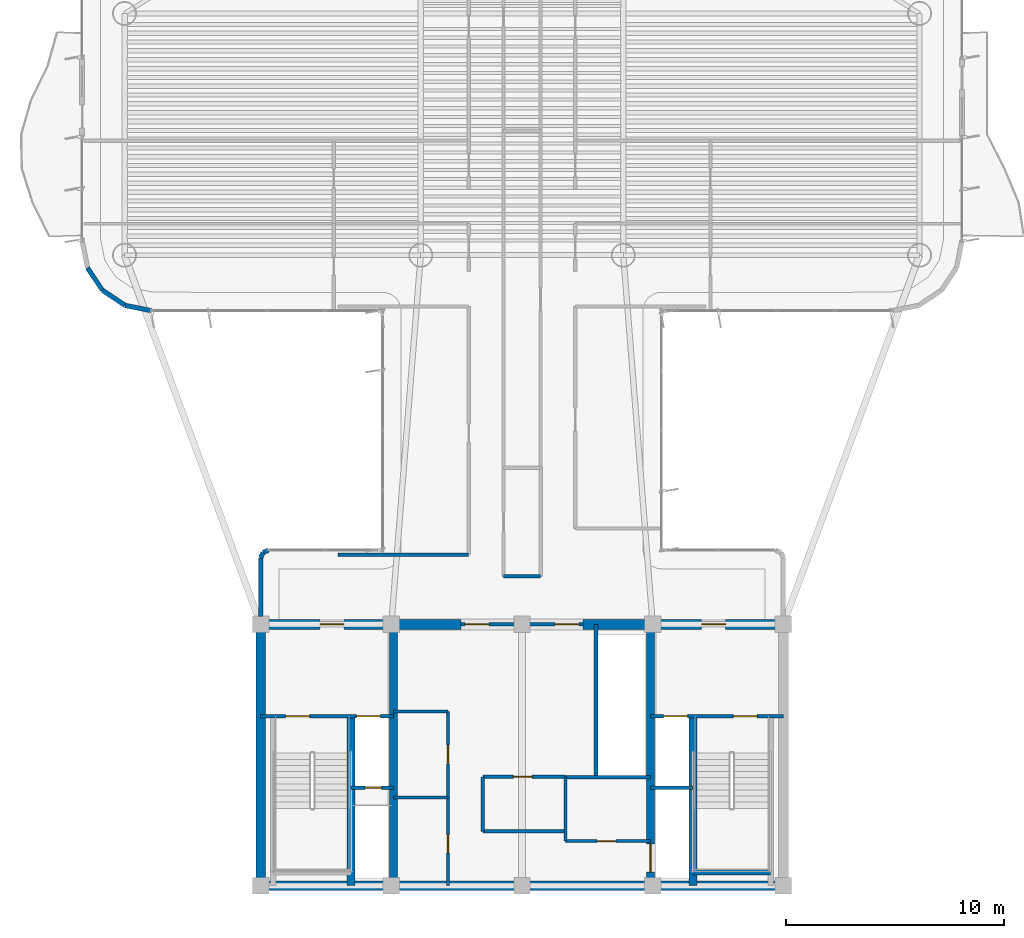
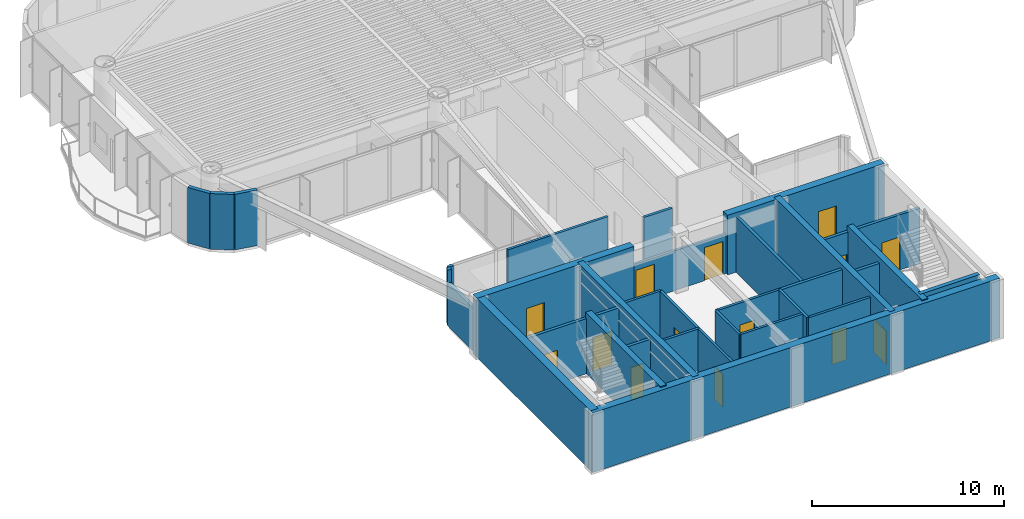
# One storey, part 9 of 14: 32 walls, 14 doors, 14 openings.
"""IFC4 building model written with IfcOpenShell, lengths in metres."""

import ifcopenshell
import ifcopenshell.guid

model = None  # the IFC model being written
_history = None  # IfcOwnerHistory: only IFC2X3 demands one
_inside = {}  # id of a spatial element -> (the spatial element, [elements in it])
_under = {}  # id of a project, library or spatial element -> (it, [spatial elements below it])
_declared = {}  # id of a project -> (the project, [libraries it declares])
_typed = {}  # id of a type object -> (the type object, [elements of that type])
_made_of = {}  # id of a material, layer set ... -> (it, [elements and type objects made of it])


def new_model(schema):
    """Start an empty IFC model of exactly this schema.

    Asked for "IFC4X3", IfcOpenShell would pick the latest addendum, in which some entities
    have other attributes; the version numbers below select the first issue.
    IFC2X3 requires an IfcOwnerHistory on every rooted entity: one is made here for all.
    """
    global model, _history
    if schema == "IFC4X3":
        model = ifcopenshell.file(schema_version=(4, 3, 0, 0))
    else:
        model = ifcopenshell.file(schema=schema)
    _inside.clear()
    _under.clear()
    _declared.clear()
    _typed.clear()
    _made_of.clear()
    _history = None
    if model.schema == "IFC2X3":
        org = make("IfcOrganization", Name="unknown")
        user = make(
            "IfcPersonAndOrganization",
            ThePerson=make("IfcPerson", FamilyName="unknown"),
            TheOrganization=org,
        )
        app = make(
            "IfcApplication",
            ApplicationDeveloper=org,
            Version="unknown",
            ApplicationFullName="unknown",
            ApplicationIdentifier="unknown",
        )
        _history = make(
            "IfcOwnerHistory",
            OwningUser=user,
            OwningApplication=app,
            ChangeAction="ADDED",
            CreationDate=0,
        )
    return model


def make(cls, **values):
    """One entity of the class cls with the attributes given. An attribute that is None is left unset."""
    return model.create_entity(
        cls, **{name: value for name, value in values.items() if value is not None}
    )


def rooted(cls, **values):
    """An entity with a GlobalId (a new one), such as an element, a storey or a relation."""
    return make(cls, GlobalId=ifcopenshell.guid.new(), OwnerHistory=_history, **values)


def si_unit(unit_type, name, prefix=None):
    """IfcSIUnit, for example si_unit("LENGTHUNIT", "METRE", prefix="MILLI")."""
    return make("IfcSIUnit", UnitType=unit_type, Prefix=prefix, Name=name)


def assignment(units):
    """IfcUnitAssignment: the units of a project."""
    return None if units is None else make("IfcUnitAssignment", Units=units)


def point(xyz):
    """IfcCartesianPoint."""
    return None if xyz is None else make("IfcCartesianPoint", Coordinates=xyz)


def direction(xyz):
    """IfcDirection."""
    return None if xyz is None else make("IfcDirection", DirectionRatios=xyz)


def frame(location, z_axis=None, x_axis=None):
    """IfcAxis2Placement3D, a coordinate frame: its origin and axes. An axis left out is left unset."""
    return make(
        "IfcAxis2Placement3D",
        Location=point(location),
        Axis=direction(z_axis),
        RefDirection=direction(x_axis),
    )


def frame_2d(location, x_axis=None):
    """IfcAxis2Placement2D, a coordinate frame in the plane: its origin and x axis."""
    return make(
        "IfcAxis2Placement2D", Location=point(location), RefDirection=direction(x_axis)
    )


def origin():
    """The frame at (0, 0, 0) with its axes left unset."""
    return frame((0.0, 0.0, 0.0))


def origin_2d():
    """The frame at (0, 0) in the plane with its x axis left unset."""
    return frame_2d((0.0, 0.0))


def place(relative_to, where):
    """IfcLocalPlacement: puts the frame where relative to a parent placement (None: the world)."""
    return make(
        "IfcLocalPlacement", PlacementRelTo=relative_to, RelativePlacement=where
    )


def context(
    kind, dimensions, precision=None, world=None, true_north=None, identifier=None
):
    """IfcGeometricRepresentationContext, for example the 3D "Model" context."""
    return make(
        "IfcGeometricRepresentationContext",
        ContextIdentifier=identifier,
        ContextType=kind,
        CoordinateSpaceDimension=dimensions,
        Precision=precision,
        WorldCoordinateSystem=world,
        TrueNorth=true_north,
    )


def subcontext(parent, identifier, kind, view, scale=None):
    """IfcGeometricRepresentationSubContext, for example "Body" below "Model"."""
    return make(
        "IfcGeometricRepresentationSubContext",
        ContextIdentifier=identifier,
        ContextType=kind,
        ParentContext=parent,
        TargetScale=scale,
        TargetView=view,
    )


def project(units=None, contexts=None):
    """IfcProject with its units and contexts."""
    return rooted(
        "IfcProject",
        Name="project",
        RepresentationContexts=contexts,
        UnitsInContext=assignment(units),
    )


def spatial(cls, under=None, at=None, **own):
    """A site, building, storey or space (cls), placed at a placement, below another one or the project."""
    s = rooted(cls, ObjectPlacement=at, **own)
    if under is not None:
        _under.setdefault(under.id(), (under, []))[1].append(s)
    return s


def profile(cls, at=None, kind="AREA", **sizes):
    """A parametric profile (cls). Its sizes go by their IFC names, for example OverallWidth=200.0."""
    return make(cls, ProfileType=kind, Position=at, **sizes)


def rectangle(**sizes):
    """IfcRectangleProfileDef."""
    return profile("IfcRectangleProfileDef", **sizes)


def extrude(swept, where, along, depth):
    """IfcExtrudedAreaSolid: the profile swept, set in the frame where, extruded along a direction by depth."""
    return make(
        "IfcExtrudedAreaSolid",
        SweptArea=swept,
        Position=where,
        ExtrudedDirection=direction(along),
        Depth=depth,
    )


def shape(context_of_items, identifier, shape_type, items):
    """IfcShapeRepresentation: the items that make up one representation, for example the "Body"."""
    return make(
        "IfcShapeRepresentation",
        ContextOfItems=context_of_items,
        RepresentationIdentifier=identifier,
        RepresentationType=shape_type,
        Items=items,
    )


def source(mapping_origin, context_of_items, identifier, shape_type, items):
    """IfcRepresentationMap: a shape defined once, which mapped items show again and again."""
    return make(
        "IfcRepresentationMap",
        MappingOrigin=mapping_origin,
        MappedRepresentation=shape(context_of_items, identifier, shape_type, items),
    )


def transform(
    local_origin,
    x_axis=None,
    y_axis=None,
    z_axis=None,
    scale=None,
    scale2=None,
    scale3=None,
    uniform=True,
):
    """IfcCartesianTransformationOperator3D, or its non-uniform kind. x_axis, y_axis, z_axis: its Axis1, 2, 3."""
    if uniform:
        return make(
            "IfcCartesianTransformationOperator3D",
            Axis1=direction(x_axis),
            Axis2=direction(y_axis),
            LocalOrigin=point(local_origin),
            Scale=scale,
            Axis3=direction(z_axis),
        )
    return make(
        "IfcCartesianTransformationOperator3DnonUniform",
        Axis1=direction(x_axis),
        Axis2=direction(y_axis),
        LocalOrigin=point(local_origin),
        Scale=scale,
        Axis3=direction(z_axis),
        Scale2=scale2,
        Scale3=scale3,
    )


def mapped(mapping_source, mapping_target):
    """IfcMappedItem: shows the shape of a source again, moved by a transform."""
    return make(
        "IfcMappedItem", MappingSource=mapping_source, MappingTarget=mapping_target
    )


def material(Name=None, Category=None):
    """IfcMaterial."""
    return make("IfcMaterial", Name=Name, Category=Category)


def layer(
    of_material, thickness, ventilated=None, Name=None, Category=None, Priority=None
):
    """IfcMaterialLayer: one layer of a wall or slab, of a material (None: an air gap)."""
    return make(
        "IfcMaterialLayer",
        Material=of_material,
        LayerThickness=thickness,
        IsVentilated=ventilated,
        Name=Name,
        Category=Category,
        Priority=Priority,
    )


def layer_set(layers, Name=None):
    """IfcMaterialLayerSet."""
    return make("IfcMaterialLayerSet", MaterialLayers=layers, LayerSetName=Name)


def made_of(thing, what):
    """Note that an element or type object is made of a material, layer set ...; save() writes the relation."""
    if what is not None:
        _made_of.setdefault(what.id(), (what, []))[1].append(thing)
    return thing


def type_object(cls, material=None, **own):
    """A type object (cls), such as IfcWallType, which elements share."""
    return made_of(rooted(cls, **own), material)


def element(
    cls,
    number,
    at=None,
    inside=None,
    cuts=None,
    type_object=None,
    material=None,
    context=None,
    identifier="Body",
    shape_type=None,
    held_by="IfcProductDefinitionShape",
    body=None,
    shapes=None,
    **own,
):
    """One element of the class cls, such as IfcWall. Its Tag is "e" and its number.

    at: its placement. inside: the storey or other place that contains it. cuts: it is an
    opening in that element (IfcRelVoidsElement). A single representation is given by context,
    identifier, shape_type and body (its items); several are given by shapes. held_by: the class
    of the entity that holds the representations. save() writes the other relations.
    """
    e = rooted(cls, Tag="e%d" % number, ObjectPlacement=at, **own)
    if body is not None:
        shapes = [shape(context, identifier, shape_type, body)]
    if shapes is not None:
        e.Representation = make(held_by, Representations=shapes)
    if inside is not None:
        _inside.setdefault(inside.id(), (inside, []))[1].append(e)
    if cuts is not None:
        rooted(
            "IfcRelVoidsElement", RelatingBuildingElement=cuts, RelatedOpeningElement=e
        )
    if type_object is not None:
        _typed.setdefault(type_object.id(), (type_object, []))[1].append(e)
    return made_of(e, material)


def fill(opening, filler):
    """IfcRelFillsElement: the door or window that sits in an opening."""
    return rooted(
        "IfcRelFillsElement",
        RelatingOpeningElement=opening,
        RelatedBuildingElement=filler,
    )


def aggregate(whole, parts):
    """IfcRelAggregates: a whole, such as a stair, and the parts it consists of."""
    return rooted("IfcRelAggregates", RelatingObject=whole, RelatedObjects=parts)


def save(model, path):
    """Write the relations noted so far, then the file.

    IfcRelAggregates (storeys below a building ...), IfcRelContainedInSpatialStructure (elements
    in a storey), IfcRelDefinesByType, IfcRelAssociatesMaterial and IfcRelDeclares: one each for
    every whole, place, type object, material and project.
    """
    for whole, parts in _under.values():
        aggregate(whole, parts)
    for where, things in _inside.values():
        rooted(
            "IfcRelContainedInSpatialStructure",
            RelatedElements=things,
            RelatingStructure=where,
        )
    for kind, things in _typed.values():
        rooted("IfcRelDefinesByType", RelatedObjects=things, RelatingType=kind)
    for what, things in _made_of.values():
        rooted("IfcRelAssociatesMaterial", RelatedObjects=things, RelatingMaterial=what)
    for by, libraries in _declared.values():
        rooted("IfcRelDeclares", RelatingContext=by, RelatedDefinitions=libraries)
    model.write(path)


model = new_model("IFC4")

# Units and contexts
model_context = context("Model", 3, precision=1e-05, world=origin(), true_north=direction((0.0, 1.0)))
body_context = subcontext(model_context, "Body", "Model", "MODEL_VIEW")
ifc_project = project(units=[si_unit("LENGTHUNIT", "METRE"), si_unit("AREAUNIT", "SQUARE_METRE"), si_unit("VOLUMEUNIT", "CUBIC_METRE"), si_unit("PLANEANGLEUNIT", "RADIAN"), si_unit("MASSUNIT", "GRAM", prefix="KILO")], contexts=[model_context])

# Site, building, storey
site_placement = place(None, origin())
site = spatial("IfcSite", under=ifc_project, at=site_placement, CompositionType="ELEMENT")
building_placement = place(site_placement, origin())
building = spatial("IfcBuilding", under=site, at=building_placement, Name="Brelvock Crest Care Tower", CompositionType="ELEMENT")
storey_placement = place(building_placement, frame((0.0, 0.0, 182.8798828125)))
storey = spatial("IfcBuildingStorey", under=building, at=storey_placement, Name="L46", CompositionType="ELEMENT", Elevation=182.8798828125)

# Walls
ifc_material_1 = material(Name="Concrete S65 (65 MPa)", Category="concrete")
ifc_layer_1 = layer(ifc_material_1, 0.449951171875, Name="WL-CS3")
ifc_layer_set_1 = layer_set([ifc_layer_1], Name="Concrete S65 (65 MPa)")
wall_type_1 = type_object("IfcWallType", Name="WL-CS3", PredefinedType="SHEAR", material=ifc_layer_set_1)
wall_1_placement = place(storey_placement, frame((48.22509765625, 6.0, 0.0), z_axis=(0.0, 0.0, 1.0), x_axis=(-1.0, 0.0, 0.0)))
element("IfcWall", 1, at=wall_1_placement, inside=storey, type_object=wall_type_1, Name="L46 Core South Shear Wall", PredefinedType="SHEAR", context=body_context, shape_type="SweptSolid", body=[
    extrude(rectangle(XDim=24.4501953125, YDim=0.449951171875, at=frame_2d((12.22509765625, 0.0))), origin(), (0.0, 0.0, 1.0), 3.780029296875),
])
wall_2_placement = place(storey_placement, frame((24.0, 6.0, 0.0), z_axis=(0.0, 0.0, 1.0), x_axis=(0.0, 1.0, 0.0)))
element("IfcWall", 2, at=wall_2_placement, inside=storey, type_object=wall_type_1, Name="L46 Core West Shear Wall", PredefinedType="SHEAR", context=body_context, shape_type="SweptSolid", body=[
    extrude(rectangle(XDim=12.0, YDim=0.449951171875, at=frame_2d((6.0, 0.0))), origin(), (0.0, 0.0, 1.0), 3.780029296875),
])

# Wall, opening, door
wall_3_placement = place(storey_placement, frame((23.77490234375, 18.0, 0.0), z_axis=(0.0, 0.0, 1.0), x_axis=(1.0, 0.0, 0.0)))
wall_3 = element("IfcWall", 3, at=wall_3_placement, inside=storey, type_object=wall_type_1, Name="L46 Core North-West Shear Wall", PredefinedType="SHEAR", context=body_context, shape_type="SweptSolid", body=[
    extrude(rectangle(XDim=9.425048828125, YDim=0.449951171875, at=frame_2d((4.71240234375, 0.0))), origin(), (0.0, 0.0, 1.0), 3.780029296875),
])
opening_1_placement = place(wall_3_placement, frame((2.949951171875, 0.0, 0.0)))
opening_1 = element("IfcOpeningElement", 4, at=opening_1_placement, cuts=wall_3, Name="Opening FD-1", PredefinedType="OPENING", context=body_context, shape_type="SweptSolid", body=[
    extrude(rectangle(XDim=1.10009765625, YDim=2.10009765625, at=origin_2d()), frame((0.550048828125, 0.23486328125, 1.050048828125), z_axis=(0.0, -1.0, 0.0), x_axis=(1.0, 0.0, 0.0)), (0.0, 0.0, 1.0), 0.469970703125),
])
ifc_material_2 = material(Name="Steel Grade 350", Category="steel")
door_type_1 = type_object("IfcDoorType", Name="DR-FFL1", OperationType="NOTDEFINED", PredefinedType="DOOR", material=ifc_material_2)
shared_shape_1 = source(origin(), body_context, "Body", "SweptSolid", [
    extrude(rectangle(XDim=1.10009765625, YDim=2.10009765625, at=origin_2d()), frame((0.550048828125, 0.02490234375, 1.050048828125), z_axis=(0.0, -1.0, 0.0), x_axis=(1.0, 0.0, 0.0)), (0.0, 0.0, 1.0), 0.050048828125),
])
door_1_placement = place(opening_1_placement, origin())
door_1 = element("IfcDoor", 5, at=door_1_placement, inside=storey, type_object=door_type_1, Name="L46 Firefighting Lobby FFL-1 Exit Door", OperationType="SINGLE_SWING_LEFT", OverallHeight=2.10009765625, OverallWidth=1.10009765625, PredefinedType="DOOR", context=body_context, shape_type="MappedRepresentation", body=[
    mapped(shared_shape_1, transform((0.0, 0.0, 0.0), x_axis=(1.0, 0.0, 0.0), y_axis=(0.0, 1.0, 0.0), z_axis=(0.0, 0.0, 1.0), scale=1.0)),
])
fill(opening_1, door_1)

wall_4_placement = place(storey_placement, frame((38.800048828125, 18.0, 0.0), z_axis=(0.0, 0.0, 1.0), x_axis=(1.0, 0.0, 0.0)))
wall_4 = element("IfcWall", 6, at=wall_4_placement, inside=storey, type_object=wall_type_1, Name="L46 Core North-East Shear Wall", PredefinedType="SHEAR", context=body_context, shape_type="SweptSolid", body=[
    extrude(rectangle(XDim=9.425048828125, YDim=0.449951171875, at=frame_2d((4.71240234375, 0.0))), origin(), (0.0, 0.0, 1.0), 3.780029296875),
])
opening_2_placement = place(wall_4_placement, frame((5.449951171875, 0.0, 0.0)))
opening_2 = element("IfcOpeningElement", 7, at=opening_2_placement, cuts=wall_4, Name="Opening FD-1", PredefinedType="OPENING", context=body_context, shape_type="SweptSolid", body=[
    extrude(rectangle(XDim=1.10009765625, YDim=2.10009765625, at=origin_2d()), frame((0.550048828125, 0.23486328125, 1.050048828125), z_axis=(0.0, -1.0, 0.0), x_axis=(1.0, 0.0, 0.0)), (0.0, 0.0, 1.0), 0.469970703125),
])
door_2_placement = place(opening_2_placement, origin())
door_2 = element("IfcDoor", 8, at=door_2_placement, inside=storey, type_object=door_type_1, Name="L46 Firefighting Lobby FFL-2 Exit Door", OperationType="SINGLE_SWING_RIGHT", OverallHeight=2.10009765625, OverallWidth=1.10009765625, PredefinedType="DOOR", context=body_context, shape_type="MappedRepresentation", body=[
    mapped(shared_shape_1, transform((0.0, 0.0, 0.0), x_axis=(1.0, 0.0, 0.0), y_axis=(0.0, 1.0, 0.0), z_axis=(0.0, 0.0, 1.0), scale=1.0)),
])
fill(opening_2, door_2)

# Wall
ifc_material_3 = material(Name="Concrete S80 (80 MPa)", Category="concrete")
ifc_layer_2 = layer(ifc_material_3, 0.35009765625, Name="WL-CS5")
ifc_layer_set_2 = layer_set([ifc_layer_2], Name="Concrete S80 (80 MPa)")
wall_type_2 = type_object("IfcWallType", Name="WL-CS5", PredefinedType="SHEAR", material=ifc_layer_set_2)
wall_5_placement = place(storey_placement, frame((30.10009765625, 6.0, 0.0), z_axis=(0.0, 0.0, 1.0), x_axis=(0.0, 1.0, 0.0)))
element("IfcWall", 9, at=wall_5_placement, inside=storey, type_object=wall_type_2, Name="L46 Core Internal Web Wall West", PredefinedType="SHEAR", context=body_context, shape_type="SweptSolid", body=[
    extrude(rectangle(XDim=12.0, YDim=0.35009765625, at=frame_2d((6.0, 0.0))), origin(), (0.0, 0.0, 1.0), 3.780029296875),
])

# Wall, opening, door
wall_6_placement = place(storey_placement, frame((41.89990234375, 18.0, 0.0), z_axis=(0.0, 0.0, 1.0), x_axis=(0.0, -1.0, 0.0)))
wall_6 = element("IfcWall", 10, at=wall_6_placement, inside=storey, type_object=wall_type_2, Name="L46 Core Internal Web Wall East", PredefinedType="SHEAR", context=body_context, shape_type="SweptSolid", body=[
    extrude(rectangle(XDim=12.0, YDim=0.35009765625, at=frame_2d((6.0, 0.0))), origin(), (0.0, 0.0, 1.0), 3.780029296875),
])
opening_3_placement = place(wall_6_placement, frame((10.080078125, 0.0, 0.0)))
opening_3 = element("IfcOpeningElement", 11, at=opening_3_placement, cuts=wall_6, Name="Opening LD-S", PredefinedType="OPENING", context=body_context, shape_type="SweptSolid", body=[
    extrude(rectangle(XDim=1.300048828125, YDim=2.10009765625, at=origin_2d()), frame((0.64990234375, 0.18505859375, 1.050048828125), z_axis=(0.0, -1.0, 0.0), x_axis=(1.0, 0.0, 0.0)), (0.0, 0.0, 1.0), 0.3701171875),
])
door_type_2 = type_object("IfcDoorType", Name="DR-LDS1", OperationType="NOTDEFINED", PredefinedType="DOOR", material=ifc_material_2)
shared_shape_2 = source(origin(), body_context, "Body", "SweptSolid", [
    extrude(rectangle(XDim=1.300048828125, YDim=2.10009765625, at=origin_2d()), frame((0.64990234375, 0.02490234375, 1.050048828125), z_axis=(0.0, -1.0, 0.0), x_axis=(1.0, 0.0, 0.0)), (0.0, 0.0, 1.0), 0.050048828125),
])
door_3_placement = place(opening_3_placement, origin())
door_3 = element("IfcDoor", 12, at=door_3_placement, inside=storey, type_object=door_type_2, Name="L46 Clinical Bed Lift SL-1 Landing Door", OperationType="SLIDING_TO_LEFT", OverallHeight=2.10009765625, OverallWidth=1.300048828125, PredefinedType="DOOR", context=body_context, shape_type="MappedRepresentation", body=[
    mapped(shared_shape_2, transform((0.0, 0.0, 0.0), x_axis=(1.0, 0.0, 0.0), y_axis=(0.0, 1.0, 0.0), z_axis=(0.0, 0.0, 1.0), scale=1.0)),
])
fill(opening_3, door_3)

# Walls
for number, where, z_axis, x_axis, name in (
    (13, (28.14990234375, 6.0, 0.0), (0.0, 0.0, 1.0), (0.0, 1.0, 0.0), "L46 Core Stair ST-1 East Shear Wall"),
    (14, (43.85009765625, 6.0, 0.0), (0.0, 0.0, 1.0), (0.0, 1.0, 0.0), "L46 Core Stair ST-2 West Shear Wall"),
):
    element("IfcWall", number, at=place(storey_placement, frame(where, z_axis=z_axis, x_axis=x_axis)), inside=storey, type_object=wall_type_2, Name=name, PredefinedType="SHEAR", context=body_context, shape_type="SweptSolid", body=[
        extrude(rectangle(XDim=7.780029296875, YDim=0.35009765625, at=frame_2d((3.89013671875, 0.0))), origin(), (0.0, 0.0, 1.0), 3.85009765625),
    ])
ifc_layer_3 = layer(ifc_material_3, 0.25, Name="WL-CS6")
ifc_layer_set_3 = layer_set([ifc_layer_3], Name="Concrete S80 (80 MPa)")
wall_type_3 = type_object("IfcWallType", Name="WL-CS6", PredefinedType="SHEAR", material=ifc_layer_set_3)
wall_7_placement = place(storey_placement, frame((43.85009765625, 6.6201171875, 0.0), z_axis=(0.0, 0.0, 1.0), x_axis=(1.0, 0.0, 0.0)))
element("IfcWall", 15, at=wall_7_placement, inside=storey, type_object=wall_type_3, Name="L46 Core Stair ST-2 South Shear Wall", PredefinedType="SHEAR", context=body_context, shape_type="SweptSolid", body=[
    extrude(rectangle(XDim=3.56982421875, YDim=0.25, at=frame_2d((1.784912109375, 0.0))), origin(), (0.0, 0.0, 1.0), 3.85009765625),
])
ifc_material_4 = material(Name="Precast concrete N40 (40 MPa)", Category="concrete")
ifc_layer_4 = layer(ifc_material_4, 0.215087890625, Name="WL-EX2")
ifc_layer_set_4 = layer_set([ifc_layer_4], Name="Precast concrete N40 (40 MPa)")
wall_type_4 = type_object("IfcWallType", Name="WL-EX2", PredefinedType="SOLIDWALL", material=ifc_layer_set_4)
wall_8_placement = place(storey_placement, frame((24.0, 18.35498046875, 0.0), z_axis=(0.0, 0.0, 1.0), x_axis=(0.0, 1.0, 0.0)))
element("IfcWall", 16, at=wall_8_placement, inside=storey, type_object=wall_type_4, Name="L46 Rounded Corner Wall 07", PredefinedType="SOLIDWALL", context=body_context, shape_type="SweptSolid", body=[
    extrude(rectangle(XDim=2.695068359375, YDim=0.215087890625, at=frame_2d((1.34765625, 0.0))), origin(), (0.0, 0.0, 1.0), 2.718017578125),
])
wall_9_placement = place(storey_placement, frame((24.0, 21.050048828125, 0.0), z_axis=(0.0, 0.0, 1.0), x_axis=(0.382673670509, 0.923883575944, 0.0)))
element("IfcWall", 17, at=wall_9_placement, inside=storey, type_object=wall_type_4, Name="L46 Rounded Corner Wall 08", PredefinedType="SOLIDWALL", context=body_context, shape_type="SweptSolid", body=[
    extrude(rectangle(XDim=0.26806640625, YDim=0.215087890625, at=frame_2d((0.134033203125, 0.0))), origin(), (0.0, 0.0, 1.0), 3.530029296875),
])
wall_10_placement = place(storey_placement, frame((24.1025390625, 21.297607421875, 0.0), z_axis=(0.0, 0.0, 1.0), x_axis=(0.924205486139, 0.381895560841, 0.0)))
element("IfcWall", 18, at=wall_10_placement, inside=storey, type_object=wall_type_4, Name="L46 Rounded Corner Wall 09", PredefinedType="SOLIDWALL", context=body_context, shape_type="SweptSolid", body=[
    extrude(rectangle(XDim=0.267822265625, YDim=0.215087890625, at=frame_2d((0.1337890625, 0.0))), origin(), (0.0, 0.0, 1.0), 3.530029296875),
])
for number, where, z_axis, x_axis, name in (
    (19, (19.0, 32.39990234375, 0.0), (0.0, 0.0, 1.0), (-0.980775717779, 0.195138390419, 0.0), "L46 Rounded Corner Wall 13"),
    (20, (17.775390625, 32.6435546875, 0.0), (0.0, 0.0, 1.0), (-0.831387912822, 0.555692485475, 0.0), "L46 Rounded Corner Wall 14"),
    (21, (16.7373046875, 33.33740234375, 0.0), (0.0, 0.0, 1.0), (-0.555557312883, 0.831478245117, 0.0), "L46 Rounded Corner Wall 15"),
):
    element("IfcWall", number, at=place(storey_placement, frame(where, z_axis=z_axis, x_axis=x_axis)), inside=storey, type_object=wall_type_4, Name=name, PredefinedType="SOLIDWALL", context=body_context, shape_type="SweptSolid", body=[
        extrude(rectangle(XDim=1.24853515625, YDim=0.215087890625, at=frame_2d((0.624267578125, 0.0))), origin(), (0.0, 0.0, 1.0), 3.530029296875),
    ])
ifc_material_5 = material(Name="Masonry Blockwork Acoustic Partition", Category="masonry")
ifc_layer_5 = layer(ifc_material_5, 0.14990234375, Name="WL-INT1")
ifc_layer_set_5 = layer_set([ifc_layer_5], Name="Masonry Blockwork Acoustic Partition")
wall_type_5 = type_object("IfcWallType", Name="WL-INT1", PredefinedType="PARTITIONING", material=ifc_layer_set_5)
wall_11_placement = place(storey_placement, frame((30.10009765625, 14.0, 0.0), z_axis=(0.0, 0.0, 1.0), x_axis=(1.0, 0.0, 0.0)))
element("IfcWall", 22, at=wall_11_placement, inside=storey, type_object=wall_type_5, Name="L46 Interior Wall WL-CRCL-N1-L46", PredefinedType="PARTITIONING", context=body_context, shape_type="SweptSolid", body=[
    extrude(rectangle(XDim=2.5, YDim=0.14990234375, at=frame_2d((1.25, 0.0))), origin(), (0.0, 0.0, 1.0), 3.5),
])
wall_12_placement = place(storey_placement, frame((34.199951171875, 8.5, 0.0), z_axis=(0.0, 0.0, 1.0), x_axis=(1.0, 0.0, 0.0)))
element("IfcWall", 23, at=wall_12_placement, inside=storey, type_object=wall_type_5, Name="L46 Interior Wall WL-CRCM-SW-L46", PredefinedType="PARTITIONING", context=body_context, shape_type="SweptSolid", body=[
    extrude(rectangle(XDim=3.800048828125, YDim=0.14990234375, at=frame_2d((1.89990234375, 0.0))), origin(), (0.0, 0.0, 1.0), 3.5),
])

# Wall, opening, door
wall_13_placement = place(storey_placement, frame((38.0, 8.050048828125, 0.0), z_axis=(0.0, 0.0, 1.0), x_axis=(1.0, 0.0, 0.0)))
wall_13 = element("IfcWall", 24, at=wall_13_placement, inside=storey, type_object=wall_type_5, Name="L46 Interior Wall WL-CRCM-SE-L46", PredefinedType="PARTITIONING", context=body_context, shape_type="SweptSolid", body=[
    extrude(rectangle(XDim=3.89990234375, YDim=0.14990234375, at=frame_2d((1.949951171875, 0.0))), origin(), (0.0, 0.0, 1.0), 3.5),
])
opening_4_placement = place(wall_13_placement, frame((1.449951171875, 0.0, 0.0)))
opening_4 = element("IfcOpeningElement", 25, at=opening_4_placement, cuts=wall_13, Name="Opening ID-1", PredefinedType="OPENING", context=body_context, shape_type="SweptSolid", body=[
    extrude(rectangle(XDim=0.860107421875, YDim=2.10009765625, at=origin_2d()), frame((0.43017578125, 0.0849609375, 1.050048828125), z_axis=(0.0, -1.0, 0.0), x_axis=(1.0, 0.0, 0.0)), (0.0, 0.0, 1.0), 0.169921875),
])
ifc_material_6 = material(Name="Engineered Hardwood Timber", Category="wood")
door_type_3 = type_object("IfcDoorType", Name="DR-INT1", OperationType="NOTDEFINED", PredefinedType="DOOR", material=ifc_material_6)
shared_shape_3 = source(origin(), body_context, "Body", "SweptSolid", [
    extrude(rectangle(XDim=0.860107421875, YDim=2.10009765625, at=origin_2d()), frame((0.43017578125, 0.02490234375, 1.050048828125), z_axis=(0.0, -1.0, 0.0), x_axis=(1.0, 0.0, 0.0)), (0.0, 0.0, 1.0), 0.050048828125),
])
door_4_placement = place(opening_4_placement, origin())
door_4 = element("IfcDoor", 26, at=door_4_placement, inside=storey, type_object=door_type_3, Name="DR-CRCM2-L46", OperationType="SINGLE_SWING_LEFT", OverallHeight=2.10009765625, OverallWidth=0.860107421875, PredefinedType="DOOR", context=body_context, shape_type="MappedRepresentation", body=[
    mapped(shared_shape_3, transform((0.0, 0.0, 0.0), x_axis=(1.0, 0.0, 0.0), y_axis=(0.0, 1.0, 0.0), z_axis=(0.0, 0.0, 1.0), scale=1.0)),
])
fill(opening_4, door_4)

# Walls
wall_14_placement = place(storey_placement, frame((34.199951171875, 8.5, 0.0), z_axis=(0.0, 0.0, 1.0), x_axis=(0.0, 1.0, 0.0)))
element("IfcWall", 27, at=wall_14_placement, inside=storey, type_object=wall_type_5, Name="L46 Interior Wall WL-CRCM-W-L46", PredefinedType="PARTITIONING", context=body_context, shape_type="SweptSolid", body=[
    extrude(rectangle(XDim=2.5, YDim=0.14990234375, at=frame_2d((1.25, 0.0))), origin(), (0.0, 0.0, 1.0), 3.5),
])
wall_15_placement = place(storey_placement, frame((38.0, 8.050048828125, 0.0), z_axis=(0.0, 0.0, 1.0), x_axis=(0.0, 1.0, 0.0)))
element("IfcWall", 28, at=wall_15_placement, inside=storey, type_object=wall_type_5, Name="L46 Interior Wall WL-CRCM-V-L46", PredefinedType="PARTITIONING", context=body_context, shape_type="SweptSolid", body=[
    extrude(rectangle(XDim=2.949951171875, YDim=0.14990234375, at=frame_2d((1.47509765625, 0.0))), origin(), (0.0, 0.0, 1.0), 3.5),
])

# Wall, opening, door
wall_16_placement = place(storey_placement, frame((34.199951171875, 11.0, 0.0), z_axis=(0.0, 0.0, 1.0), x_axis=(1.0, 0.0, 0.0)))
wall_16 = element("IfcWall", 29, at=wall_16_placement, inside=storey, type_object=wall_type_5, Name="L46 Interior Wall WL-CRCM-NW-L46", PredefinedType="PARTITIONING", context=body_context, shape_type="SweptSolid", body=[
    extrude(rectangle(XDim=3.800048828125, YDim=0.14990234375, at=frame_2d((1.89990234375, 0.0))), origin(), (0.0, 0.0, 1.0), 3.5),
])
opening_5_placement = place(wall_16_placement, frame((1.39990234375, 0.0, 0.0)))
opening_5 = element("IfcOpeningElement", 30, at=opening_5_placement, cuts=wall_16, Name="Opening ID-1", PredefinedType="OPENING", context=body_context, shape_type="SweptSolid", body=[
    extrude(rectangle(XDim=0.860107421875, YDim=2.10009765625, at=origin_2d()), frame((0.43017578125, 0.0849609375, 1.050048828125), z_axis=(0.0, -1.0, 0.0), x_axis=(1.0, 0.0, 0.0)), (0.0, 0.0, 1.0), 0.169921875),
])
door_5_placement = place(opening_5_placement, origin())
door_5 = element("IfcDoor", 31, at=door_5_placement, inside=storey, type_object=door_type_3, Name="DR-CRCM1-L46", OperationType="SINGLE_SWING_LEFT", OverallHeight=2.10009765625, OverallWidth=0.860107421875, PredefinedType="DOOR", context=body_context, shape_type="MappedRepresentation", body=[
    mapped(shared_shape_3, transform((0.0, 0.0, 0.0), x_axis=(1.0, 0.0, 0.0), y_axis=(0.0, 1.0, 0.0), z_axis=(0.0, 0.0, 1.0), scale=1.0)),
])
fill(opening_5, door_5)

# Wall
wall_17_placement = place(storey_placement, frame((30.10009765625, 10.050048828125, 0.0), z_axis=(0.0, 0.0, 1.0), x_axis=(1.0, 0.0, 0.0)))
element("IfcWall", 32, at=wall_17_placement, inside=storey, type_object=wall_type_5, Name="L46 Interior Wall WL-CSBW-S1-L46", PredefinedType="PARTITIONING", context=body_context, shape_type="SweptSolid", body=[
    extrude(rectangle(XDim=2.5, YDim=0.14990234375, at=frame_2d((1.25, 0.0))), origin(), (0.0, 0.0, 1.0), 3.5),
])

# Wall, openings, doors
wall_18_placement = place(storey_placement, frame((32.60009765625, 6.0, 0.0), z_axis=(0.0, 0.0, 1.0), x_axis=(0.0, 1.0, 0.0)))
wall_18 = element("IfcWall", 33, at=wall_18_placement, inside=storey, type_object=wall_type_5, Name="L46 Interior Wall WL-CRCL-E-L46", PredefinedType="PARTITIONING", context=body_context, shape_type="SweptSolid", body=[
    extrude(rectangle(XDim=8.0, YDim=0.14990234375, at=frame_2d((4.0, 0.0))), origin(), (0.0, 0.0, 1.0), 3.5),
])
opening_6_placement = place(wall_18_placement, frame((1.5, 0.0, 0.0)))
opening_6 = element("IfcOpeningElement", 34, at=opening_6_placement, cuts=wall_18, Name="Opening ID-1", PredefinedType="OPENING", context=body_context, shape_type="SweptSolid", body=[
    extrude(rectangle(XDim=0.860107421875, YDim=2.10009765625, at=origin_2d()), frame((0.43017578125, 0.0849609375, 1.050048828125), z_axis=(0.0, -1.0, 0.0), x_axis=(1.0, 0.0, 0.0)), (0.0, 0.0, 1.0), 0.169921875),
])
opening_7_placement = place(wall_18_placement, frame((5.60009765625, 0.0, 0.0)))
opening_7 = element("IfcOpeningElement", 35, at=opening_7_placement, cuts=wall_18, Name="Opening ID-1", PredefinedType="OPENING", context=body_context, shape_type="SweptSolid", body=[
    extrude(rectangle(XDim=0.860107421875, YDim=2.10009765625, at=origin_2d()), frame((0.43017578125, 0.0849609375, 1.050048828125), z_axis=(0.0, -1.0, 0.0), x_axis=(1.0, 0.0, 0.0)), (0.0, 0.0, 1.0), 0.169921875),
])
door_6_placement = place(opening_6_placement, origin())
door_6 = element("IfcDoor", 36, at=door_6_placement, inside=storey, type_object=door_type_3, Name="DR-CSBW-L46", OperationType="SINGLE_SWING_LEFT", OverallHeight=2.10009765625, OverallWidth=0.860107421875, PredefinedType="DOOR", context=body_context, shape_type="MappedRepresentation", body=[
    mapped(shared_shape_3, transform((0.0, 0.0, 0.0), x_axis=(1.0, 0.0, 0.0), y_axis=(0.0, 1.0, 0.0), z_axis=(0.0, 0.0, 1.0), scale=1.0)),
])
fill(opening_6, door_6)
door_7_placement = place(opening_7_placement, origin())
door_7 = element("IfcDoor", 37, at=door_7_placement, inside=storey, type_object=door_type_3, Name="DR-CRCL1-L46", OperationType="SINGLE_SWING_LEFT", OverallHeight=2.10009765625, OverallWidth=0.860107421875, PredefinedType="DOOR", context=body_context, shape_type="MappedRepresentation", body=[
    mapped(shared_shape_3, transform((0.0, 0.0, 0.0), x_axis=(1.0, 0.0, 0.0), y_axis=(0.0, 1.0, 0.0), z_axis=(0.0, 0.0, 1.0), scale=1.0)),
])
fill(opening_7, door_7)

wall_19_placement = place(storey_placement, frame((33.199951171875, 18.0, 0.0), z_axis=(0.0, 0.0, 1.0), x_axis=(1.0, 0.0, 0.0)))
wall_19 = element("IfcWall", 38, at=wall_19_placement, inside=storey, type_object=wall_type_5, Name="L46 Interior Wall WL-CORE-NPORT-L46", PredefinedType="PARTITIONING", context=body_context, shape_type="SweptSolid", body=[
    extrude(rectangle(XDim=5.60009765625, YDim=0.14990234375, at=frame_2d((2.800048828125, 0.0))), origin(), (0.0, 0.0, 1.0), 2.51513671875),
])
opening_8_placement = place(wall_19_placement, frame((0.18994140625, 0.0, 0.0)))
opening_8 = element("IfcOpeningElement", 39, at=opening_8_placement, cuts=wall_19, Name="Opening FD-1", PredefinedType="OPENING", context=body_context, shape_type="SweptSolid", body=[
    extrude(rectangle(XDim=1.10009765625, YDim=2.10009765625, at=origin_2d()), frame((0.550048828125, 0.0849609375, 1.050048828125), z_axis=(0.0, -1.0, 0.0), x_axis=(1.0, 0.0, 0.0)), (0.0, 0.0, 1.0), 0.169921875),
])
opening_9_placement = place(wall_19_placement, frame((4.31005859375, 0.0, 0.0)))
opening_9 = element("IfcOpeningElement", 40, at=opening_9_placement, cuts=wall_19, Name="Opening FD-1", PredefinedType="OPENING", context=body_context, shape_type="SweptSolid", body=[
    extrude(rectangle(XDim=1.10009765625, YDim=2.10009765625, at=origin_2d()), frame((0.550048828125, 0.0849609375, 1.050048828125), z_axis=(0.0, -1.0, 0.0), x_axis=(1.0, 0.0, 0.0)), (0.0, 0.0, 1.0), 0.169921875),
])
door_8_placement = place(opening_8_placement, origin())
door_8 = element("IfcDoor", 41, at=door_8_placement, inside=storey, type_object=door_type_1, Name="L46 Lift Lobby North Smoke Door West", OperationType="SINGLE_SWING_LEFT", OverallHeight=2.10009765625, OverallWidth=1.10009765625, PredefinedType="DOOR", context=body_context, shape_type="MappedRepresentation", body=[
    mapped(shared_shape_1, transform((0.0, 0.0, 0.0), x_axis=(1.0, 0.0, 0.0), y_axis=(0.0, 1.0, 0.0), z_axis=(0.0, 0.0, 1.0), scale=1.0)),
])
fill(opening_8, door_8)
door_9_placement = place(opening_9_placement, origin())
door_9 = element("IfcDoor", 42, at=door_9_placement, inside=storey, type_object=door_type_1, Name="L46 Lift Lobby North Smoke Door East", OperationType="SINGLE_SWING_RIGHT", OverallHeight=2.10009765625, OverallWidth=1.10009765625, PredefinedType="DOOR", context=body_context, shape_type="MappedRepresentation", body=[
    mapped(shared_shape_1, transform((0.0, 0.0, 0.0), x_axis=(1.0, 0.0, 0.0), y_axis=(0.0, 1.0, 0.0), z_axis=(0.0, 0.0, 1.0), scale=1.0)),
])
fill(opening_9, door_9)

# Walls
wall_20_placement = place(storey_placement, frame((27.5576171875, 21.199951171875, 0.0), z_axis=(0.0, 0.0, 1.0), x_axis=(1.0, 0.0, 0.0)))
element("IfcWall", 43, at=wall_20_placement, inside=storey, type_object=wall_type_5, Name="L46 Interior Wall WL-BX-L46-THRW-S", PredefinedType="PARTITIONING", context=body_context, shape_type="SweptSolid", body=[
    extrude(rectangle(XDim=5.992431640625, YDim=0.14990234375, at=frame_2d((2.99609375, 0.0))), origin(), (0.0, 0.0, 1.0), 3.5),
])
ifc_material_7 = material(Name="Gypsum Plasterboard Partition", Category="gypsum")
ifc_layer_6 = layer(ifc_material_7, 0.159912109375, Name="WL-PLM1")
ifc_layer_set_6 = layer_set([ifc_layer_6], Name="Gypsum Plasterboard Partition")
wall_type_6 = type_object("IfcWallType", Name="WL-PLM1", PredefinedType="PLUMBINGWALL", material=ifc_layer_set_6)
wall_21_placement = place(storey_placement, frame((35.14990234375, 20.199951171875, 0.0), z_axis=(0.0, 0.0, 1.0), x_axis=(1.0, 0.0, 0.0)))
element("IfcWall", 44, at=wall_21_placement, inside=storey, type_object=wall_type_6, Name="L46 Interior Wall WL-BX-L46-ISWC-S", PredefinedType="PLUMBINGWALL", context=body_context, shape_type="SweptSolid", body=[
    extrude(rectangle(XDim=1.7001953125, YDim=0.159912109375, at=frame_2d((0.85009765625, 0.0))), origin(), (0.0, 0.0, 1.0), 3.5),
])
ifc_layer_7 = layer(ifc_material_5, 0.179931640625, Name="WL-SHF1")
ifc_layer_set_7 = layer_set([ifc_layer_7], Name="Masonry Blockwork Acoustic Partition")
wall_type_7 = type_object("IfcWallType", Name="WL-SHF1", PredefinedType="PARTITIONING", material=ifc_layer_set_7)
wall_22_placement = place(storey_placement, frame((38.0, 10.97998046875, 0.0), z_axis=(0.0, 0.0, 1.0), x_axis=(1.0, 0.0, 0.0)))
element("IfcWall", 45, at=wall_22_placement, inside=storey, type_object=wall_type_7, Name="L46 Interior Wall WL-CRCM-NE-L46", PredefinedType="PARTITIONING", context=body_context, shape_type="SweptSolid", body=[
    extrude(rectangle(XDim=3.89990234375, YDim=0.179931640625, at=frame_2d((1.949951171875, 0.0))), origin(), (0.0, 0.0, 1.0), 3.5),
])
wall_23_placement = place(storey_placement, frame((39.39990234375, 11.0, 0.0), z_axis=(0.0, 0.0, 1.0), x_axis=(0.0, 1.0, 0.0)))
element("IfcWall", 46, at=wall_23_placement, inside=storey, type_object=wall_type_7, Name="L46 Interior Wall WL-PLH-SHF-L46", PredefinedType="PARTITIONING", context=body_context, shape_type="SweptSolid", body=[
    extrude(rectangle(XDim=7.0, YDim=0.179931640625, at=frame_2d((3.5, 0.0))), origin(), (0.0, 0.0, 1.0), 3.5),
])

# Wall, openings, doors
wall_24_placement = place(storey_placement, frame((24.0, 13.780029296875, 0.0), z_axis=(0.0, 0.0, 1.0), x_axis=(1.0, 0.0, 0.0)))
wall_24 = element("IfcWall", 47, at=wall_24_placement, inside=storey, type_object=wall_type_7, Name="L46 Interior Wall WL-ST1-N-L46", PredefinedType="PARTITIONING", context=body_context, shape_type="SweptSolid", body=[
    extrude(rectangle(XDim=6.10009765625, YDim=0.179931640625, at=frame_2d((3.050048828125, 0.0))), origin(), (0.0, 0.0, 1.0), 3.5),
])
opening_10_placement = place(wall_24_placement, frame((1.14990234375, 0.0, 0.0)))
opening_10 = element("IfcOpeningElement", 48, at=opening_10_placement, cuts=wall_24, Name="Opening SD-1", PredefinedType="OPENING", context=body_context, shape_type="SweptSolid", body=[
    extrude(rectangle(XDim=1.10009765625, YDim=2.10009765625, at=origin_2d()), frame((0.550048828125, 0.10009765625, 1.050048828125), z_axis=(0.0, -1.0, 0.0), x_axis=(1.0, 0.0, 0.0)), (0.0, 0.0, 1.0), 0.199951171875),
])
opening_11_placement = place(wall_24_placement, frame((4.39990234375, 0.0, 0.0)))
opening_11 = element("IfcOpeningElement", 49, at=opening_11_placement, cuts=wall_24, Name="Opening LD", PredefinedType="OPENING", context=body_context, shape_type="SweptSolid", body=[
    extrude(rectangle(XDim=1.10009765625, YDim=2.10009765625, at=origin_2d()), frame((0.550048828125, 0.10009765625, 1.050048828125), z_axis=(0.0, -1.0, 0.0), x_axis=(1.0, 0.0, 0.0)), (0.0, 0.0, 1.0), 0.199951171875),
])
door_type_4 = type_object("IfcDoorType", Name="DR-ST1", OperationType="NOTDEFINED", PredefinedType="DOOR", material=ifc_material_2)
shared_shape_4 = source(origin(), body_context, "Body", "SweptSolid", [
    extrude(rectangle(XDim=1.10009765625, YDim=2.10009765625, at=origin_2d()), frame((0.550048828125, 0.02490234375, 1.050048828125), z_axis=(0.0, -1.0, 0.0), x_axis=(1.0, 0.0, 0.0)), (0.0, 0.0, 1.0), 0.050048828125),
])
door_10_placement = place(opening_10_placement, origin())
door_10 = element("IfcDoor", 50, at=door_10_placement, inside=storey, type_object=door_type_4, Name="L46 Fire Stair ST-1 Door", OperationType="SINGLE_SWING_LEFT", OverallHeight=2.10009765625, OverallWidth=1.10009765625, PredefinedType="DOOR", context=body_context, shape_type="MappedRepresentation", body=[
    mapped(shared_shape_4, transform((0.0, 0.0, 0.0), x_axis=(1.0, 0.0, 0.0), y_axis=(0.0, 1.0, 0.0), z_axis=(0.0, 0.0, 1.0), scale=1.0)),
])
fill(opening_10, door_10)
door_type_5 = type_object("IfcDoorType", Name="DR-LD1", OperationType="NOTDEFINED", PredefinedType="DOOR", material=ifc_material_2)
shared_shape_5 = source(origin(), body_context, "Body", "SweptSolid", [
    extrude(rectangle(XDim=1.10009765625, YDim=2.10009765625, at=origin_2d()), frame((0.550048828125, 0.02490234375, 1.050048828125), z_axis=(0.0, -1.0, 0.0), x_axis=(1.0, 0.0, 0.0)), (0.0, 0.0, 1.0), 0.050048828125),
])
door_11_placement = place(opening_11_placement, origin())
door_11 = element("IfcDoor", 51, at=door_11_placement, inside=storey, type_object=door_type_5, Name="L46 Firefighting Lift FFL-1 Landing Door", OperationType="SLIDING_TO_LEFT", OverallHeight=2.10009765625, OverallWidth=1.10009765625, PredefinedType="DOOR", context=body_context, shape_type="MappedRepresentation", body=[
    mapped(shared_shape_5, transform((0.0, 0.0, 0.0), x_axis=(1.0, 0.0, 0.0), y_axis=(0.0, 1.0, 0.0), z_axis=(0.0, 0.0, 1.0), scale=1.0)),
])
fill(opening_11, door_11)

# Wall, opening, door
wall_25_placement = place(storey_placement, frame((28.14990234375, 10.5, 0.0), z_axis=(0.0, 0.0, 1.0), x_axis=(1.0, 0.0, 0.0)))
wall_25 = element("IfcWall", 52, at=wall_25_placement, inside=storey, type_object=wall_type_7, Name="L46 Interior Wall WL-FFH1-S-L46", PredefinedType="PARTITIONING", context=body_context, shape_type="SweptSolid", body=[
    extrude(rectangle(XDim=1.9501953125, YDim=0.179931640625, at=frame_2d((0.97509765625, 0.0))), origin(), (0.0, 0.0, 1.0), 3.5),
])
opening_12_placement = place(wall_25_placement, frame((0.64990234375, 0.0, 0.0)))
opening_12 = element("IfcOpeningElement", 53, at=opening_12_placement, cuts=wall_25, Name="Opening RD-1", PredefinedType="OPENING", context=body_context, shape_type="SweptSolid", body=[
    extrude(rectangle(XDim=0.760009765625, YDim=2.050048828125, at=origin_2d()), frame((0.3798828125, 0.10009765625, 1.02490234375), z_axis=(0.0, -1.0, 0.0), x_axis=(1.0, 0.0, 0.0)), (0.0, 0.0, 1.0), 0.199951171875),
])
door_type_6 = type_object("IfcDoorType", Name="DR-RIS1", OperationType="NOTDEFINED", PredefinedType="DOOR", material=ifc_material_2)
shared_shape_6 = source(origin(), body_context, "Body", "SweptSolid", [
    extrude(rectangle(XDim=0.760009765625, YDim=2.050048828125, at=origin_2d()), frame((0.3798828125, 0.02490234375, 1.02490234375), z_axis=(0.0, -1.0, 0.0), x_axis=(1.0, 0.0, 0.0)), (0.0, 0.0, 1.0), 0.050048828125),
])
door_12_placement = place(opening_12_placement, origin())
door_12 = element("IfcDoor", 54, at=door_12_placement, inside=storey, type_object=door_type_6, Name="L46 Wet Fire Riser Access Door", OperationType="SINGLE_SWING_LEFT", OverallHeight=2.050048828125, OverallWidth=0.760009765625, PredefinedType="DOOR", context=body_context, shape_type="MappedRepresentation", body=[
    mapped(shared_shape_6, transform((0.0, 0.0, 0.0), x_axis=(1.0, 0.0, 0.0), y_axis=(0.0, 1.0, 0.0), z_axis=(0.0, 0.0, 1.0), scale=1.0)),
])
fill(opening_12, door_12)

# Wall, openings, doors
wall_26_placement = place(storey_placement, frame((41.89990234375, 13.780029296875, 0.0), z_axis=(0.0, 0.0, 1.0), x_axis=(1.0, 0.0, 0.0)))
wall_26 = element("IfcWall", 55, at=wall_26_placement, inside=storey, type_object=wall_type_7, Name="L46 Interior Wall WL-ST2-N-L46", PredefinedType="PARTITIONING", context=body_context, shape_type="SweptSolid", body=[
    extrude(rectangle(XDim=6.10009765625, YDim=0.179931640625, at=frame_2d((3.050048828125, 0.0))), origin(), (0.0, 0.0, 1.0), 3.5),
])
opening_13_placement = place(wall_26_placement, frame((0.60009765625, 0.0, 0.0)))
opening_13 = element("IfcOpeningElement", 56, at=opening_13_placement, cuts=wall_26, Name="Opening LD", PredefinedType="OPENING", context=body_context, shape_type="SweptSolid", body=[
    extrude(rectangle(XDim=1.10009765625, YDim=2.10009765625, at=origin_2d()), frame((0.550048828125, 0.10009765625, 1.050048828125), z_axis=(0.0, -1.0, 0.0), x_axis=(1.0, 0.0, 0.0)), (0.0, 0.0, 1.0), 0.199951171875),
])
opening_14_placement = place(wall_26_placement, frame((3.800048828125, 0.0, 0.0)))
opening_14 = element("IfcOpeningElement", 57, at=opening_14_placement, cuts=wall_26, Name="Opening SD-1", PredefinedType="OPENING", context=body_context, shape_type="SweptSolid", body=[
    extrude(rectangle(XDim=1.10009765625, YDim=2.10009765625, at=origin_2d()), frame((0.550048828125, 0.10009765625, 1.050048828125), z_axis=(0.0, -1.0, 0.0), x_axis=(1.0, 0.0, 0.0)), (0.0, 0.0, 1.0), 0.199951171875),
])
door_13_placement = place(opening_14_placement, origin())
door_13 = element("IfcDoor", 58, at=door_13_placement, inside=storey, type_object=door_type_4, Name="L46 Fire Stair ST-2 Door", OperationType="SINGLE_SWING_RIGHT", OverallHeight=2.10009765625, OverallWidth=1.10009765625, PredefinedType="DOOR", context=body_context, shape_type="MappedRepresentation", body=[
    mapped(shared_shape_4, transform((0.0, 0.0, 0.0), x_axis=(1.0, 0.0, 0.0), y_axis=(0.0, 1.0, 0.0), z_axis=(0.0, 0.0, 1.0), scale=1.0)),
])
fill(opening_14, door_13)
door_14_placement = place(opening_13_placement, origin())
door_14 = element("IfcDoor", 59, at=door_14_placement, inside=storey, type_object=door_type_5, Name="L46 Firefighting Lift FFL-2 Landing Door", OperationType="SLIDING_TO_RIGHT", OverallHeight=2.10009765625, OverallWidth=1.10009765625, PredefinedType="DOOR", context=body_context, shape_type="MappedRepresentation", body=[
    mapped(shared_shape_5, transform((0.0, 0.0, 0.0), x_axis=(1.0, 0.0, 0.0), y_axis=(0.0, 1.0, 0.0), z_axis=(0.0, 0.0, 1.0), scale=1.0)),
])
fill(opening_13, door_14)

# Wall
wall_27_placement = place(storey_placement, frame((41.89990234375, 10.5, 0.0), z_axis=(0.0, 0.0, 1.0), x_axis=(1.0, 0.0, 0.0)))
element("IfcWall", 60, at=wall_27_placement, inside=storey, type_object=wall_type_7, Name="L46 Interior Wall WL-FFH2-S-L46", PredefinedType="PARTITIONING", context=body_context, shape_type="SweptSolid", body=[
    extrude(rectangle(XDim=1.9501953125, YDim=0.179931640625, at=frame_2d((0.97509765625, 0.0))), origin(), (0.0, 0.0, 1.0), 3.5),
])

save(model, "model.ifc")
